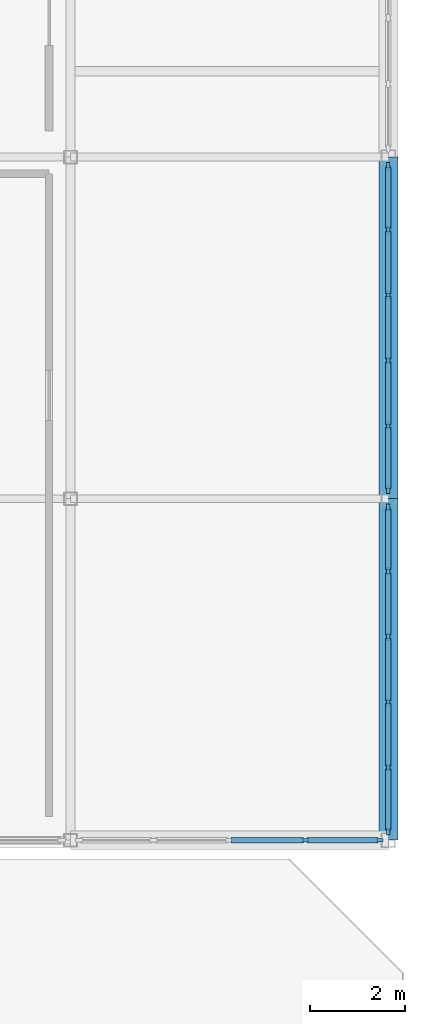
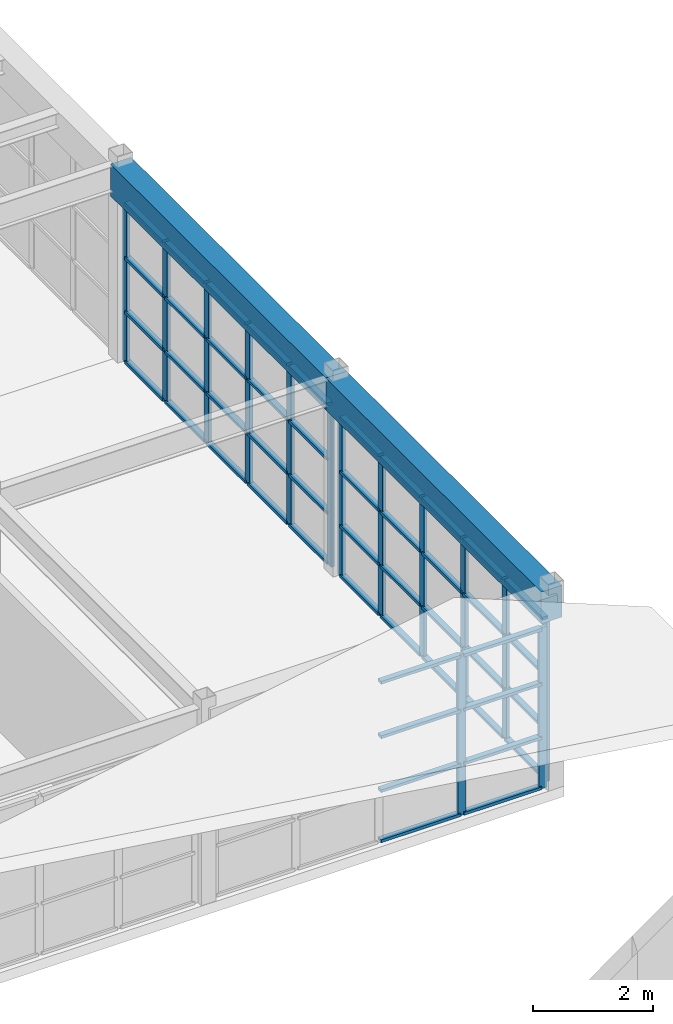
# One storey, part 33 of 52: 62 members, 2 beams, 3 elements without a shape of their own.
"""IFC4 building model written with IfcOpenShell, lengths in metres."""

from ifc_helpers import new_model, si_unit, direction, frame, origin, origin_2d, place, context, subcontext, project, spatial, rectangle, extrude, material, layer, layer_set, material_profile, profile_set, type_object, element, aggregate, save


model = new_model("IFC4")

# Units and contexts
model_context = context("Model", 3, precision=1e-05, world=origin(), true_north=direction((0.0, 1.0)))
body_context = subcontext(model_context, "Body", "Model", "MODEL_VIEW")
ifc_project = project(units=[si_unit("LENGTHUNIT", "METRE"), si_unit("AREAUNIT", "SQUARE_METRE"), si_unit("VOLUMEUNIT", "CUBIC_METRE"), si_unit("PLANEANGLEUNIT", "RADIAN"), si_unit("MASSUNIT", "GRAM", prefix="KILO")], contexts=[model_context])

# Site, building, storey
site_placement = place(None, origin())
site = spatial("IfcSite", under=ifc_project, at=site_placement, CompositionType="ELEMENT")
building_placement = place(site_placement, origin())
building = spatial("IfcBuilding", under=site, at=building_placement, Name="Candilejo Ridge Gondola Terminal", CompositionType="ELEMENT")
storey_placement = place(building_placement, frame((0.0, 0.0, 18.60009765625)))
storey = spatial("IfcBuildingStorey", under=building, at=storey_placement, Name="L04", CompositionType="ELEMENT", Elevation=18.60009765625)

# Curtain wall, members
ifc_material_1 = material(Name="Anodised aluminium AA 6063-T6", Category="aluminium")
ifc_layer_1 = layer(ifc_material_1, 0.169921875)
ifc_layer_set_1 = layer_set([ifc_layer_1], Name="ARC-CW-TOWER-3000-690X329")
curtain_wall_type_1 = type_object("IfcCurtainWallType", Name="ARC-CW-TOWER-3000-690X329", PredefinedType="NOTDEFINED", material=ifc_layer_set_1)
curtain_wall_1_placement = place(storey_placement, origin())
curtain_wall_1 = element("IfcCurtainWall", 1, at=curtain_wall_1_placement, inside=storey, type_object=curtain_wall_type_1, Name="Curtain wall V5 L04-213", PredefinedType="NOTDEFINED")
ifc_material_2 = material(Name="Anodised aluminium AA 6063-T6", Category="aluminium")
ifc_material_profile_1 = material_profile(ifc_material_2, rectangle(XDim=0.06494140625, YDim=0.14990234375, at=origin_2d()))
ifc_profile_set_1 = profile_set([ifc_material_profile_1], Name="Anodised aluminium AA 6063-T6")
member_type_1 = type_object("IfcMemberType", Name="ARC-CW-MULLION-150", PredefinedType="MULLION", material=ifc_profile_set_1)
member_1_placement = place(storey_placement, frame((175.300048828125, 84.83251953125, 0.0), z_axis=(0.0, 0.0, 1.0), x_axis=(-1.0, 0.0, 0.0)))
member_1 = element("IfcMember", 2, at=member_1_placement, type_object=member_type_1, Name="CW-69X32 mullion 1", PredefinedType="MULLION", context=body_context, shape_type="SweptSolid", body=[
    extrude(rectangle(XDim=0.06494140625, YDim=0.14990234375, at=origin_2d()), origin(), (0.0, 0.0, 1.0), 3.289794921875),
])
member_2_placement = place(storey_placement, frame((175.300048828125, 86.179931640625, 0.0), z_axis=(0.0, 0.0, 1.0), x_axis=(-1.0, 0.0, 0.0)))
member_2 = element("IfcMember", 3, at=member_2_placement, type_object=member_type_1, Name="CW-69X32 mullion 2", PredefinedType="MULLION", context=body_context, shape_type="SweptSolid", body=[
    extrude(rectangle(XDim=0.06494140625, YDim=0.14990234375, at=origin_2d()), origin(), (0.0, 0.0, 1.0), 3.289794921875),
])
member_3_placement = place(storey_placement, frame((175.300048828125, 87.56005859375, 0.0), z_axis=(0.0, 0.0, 1.0), x_axis=(-1.0, 0.0, 0.0)))
member_3 = element("IfcMember", 4, at=member_3_placement, type_object=member_type_1, Name="CW-69X32 mullion 3", PredefinedType="MULLION", context=body_context, shape_type="SweptSolid", body=[
    extrude(rectangle(XDim=0.06494140625, YDim=0.14990234375, at=origin_2d()), origin(), (0.0, 0.0, 1.0), 3.289794921875),
])
member_4_placement = place(storey_placement, frame((175.300048828125, 88.93994140625, 0.0), z_axis=(0.0, 0.0, 1.0), x_axis=(-1.0, 0.0, 0.0)))
member_4 = element("IfcMember", 5, at=member_4_placement, type_object=member_type_1, Name="CW-69X32 mullion 4", PredefinedType="MULLION", context=body_context, shape_type="SweptSolid", body=[
    extrude(rectangle(XDim=0.06494140625, YDim=0.14990234375, at=origin_2d()), origin(), (0.0, 0.0, 1.0), 3.289794921875),
])
member_5_placement = place(storey_placement, frame((175.300048828125, 90.320068359375, 0.0), z_axis=(0.0, 0.0, 1.0), x_axis=(-1.0, 0.0, 0.0)))
member_5 = element("IfcMember", 6, at=member_5_placement, type_object=member_type_1, Name="CW-69X32 mullion 5", PredefinedType="MULLION", context=body_context, shape_type="SweptSolid", body=[
    extrude(rectangle(XDim=0.06494140625, YDim=0.14990234375, at=origin_2d()), origin(), (0.0, 0.0, 1.0), 3.289794921875),
])
member_6_placement = place(storey_placement, frame((175.300048828125, 91.66748046875, 0.0), z_axis=(0.0, 0.0, 1.0), x_axis=(-1.0, 0.0, 0.0)))
member_6 = element("IfcMember", 7, at=member_6_placement, type_object=member_type_1, Name="CW-69X32 mullion 6", PredefinedType="MULLION", context=body_context, shape_type="SweptSolid", body=[
    extrude(rectangle(XDim=0.06494140625, YDim=0.14990234375, at=origin_2d()), origin(), (0.0, 0.0, 1.0), 3.289794921875),
])

curtain_wall_2_placement = place(storey_placement, origin())
curtain_wall_2 = element("IfcCurtainWall", 8, at=curtain_wall_2_placement, inside=storey, type_object=curtain_wall_type_1, Name="Curtain wall V5 L04-215", PredefinedType="NOTDEFINED")
member_7_placement = place(storey_placement, frame((175.300048828125, 92.032470703125, 0.0), z_axis=(0.0, 0.0, 1.0), x_axis=(-1.0, 0.0, 0.0)))
member_7 = element("IfcMember", 9, at=member_7_placement, type_object=member_type_1, Name="CW-69X32 mullion 1", PredefinedType="MULLION", context=body_context, shape_type="SweptSolid", body=[
    extrude(rectangle(XDim=0.06494140625, YDim=0.14990234375, at=origin_2d()), origin(), (0.0, 0.0, 1.0), 3.289794921875),
])
member_8_placement = place(storey_placement, frame((175.300048828125, 93.3798828125, 0.0), z_axis=(0.0, 0.0, 1.0), x_axis=(-1.0, 0.0, 0.0)))
member_8 = element("IfcMember", 10, at=member_8_placement, type_object=member_type_1, Name="CW-69X32 mullion 2", PredefinedType="MULLION", context=body_context, shape_type="SweptSolid", body=[
    extrude(rectangle(XDim=0.06494140625, YDim=0.14990234375, at=origin_2d()), origin(), (0.0, 0.0, 1.0), 3.289794921875),
])
member_9_placement = place(storey_placement, frame((175.300048828125, 94.760009765625, 0.0), z_axis=(0.0, 0.0, 1.0), x_axis=(-1.0, 0.0, 0.0)))
member_9 = element("IfcMember", 11, at=member_9_placement, type_object=member_type_1, Name="CW-69X32 mullion 3", PredefinedType="MULLION", context=body_context, shape_type="SweptSolid", body=[
    extrude(rectangle(XDim=0.06494140625, YDim=0.14990234375, at=origin_2d()), origin(), (0.0, 0.0, 1.0), 3.289794921875),
])
member_10_placement = place(storey_placement, frame((175.300048828125, 96.139892578125, 0.0), z_axis=(0.0, 0.0, 1.0), x_axis=(-1.0, 0.0, 0.0)))
member_10 = element("IfcMember", 12, at=member_10_placement, type_object=member_type_1, Name="CW-69X32 mullion 4", PredefinedType="MULLION", context=body_context, shape_type="SweptSolid", body=[
    extrude(rectangle(XDim=0.06494140625, YDim=0.14990234375, at=origin_2d()), origin(), (0.0, 0.0, 1.0), 3.289794921875),
])
member_11_placement = place(storey_placement, frame((175.300048828125, 97.52001953125, 0.0), z_axis=(0.0, 0.0, 1.0), x_axis=(-1.0, 0.0, 0.0)))
member_11 = element("IfcMember", 13, at=member_11_placement, type_object=member_type_1, Name="CW-69X32 mullion 5", PredefinedType="MULLION", context=body_context, shape_type="SweptSolid", body=[
    extrude(rectangle(XDim=0.06494140625, YDim=0.14990234375, at=origin_2d()), origin(), (0.0, 0.0, 1.0), 3.289794921875),
])
member_12_placement = place(storey_placement, frame((175.300048828125, 98.867431640625, 0.0), z_axis=(0.0, 0.0, 1.0), x_axis=(-1.0, 0.0, 0.0)))
member_12 = element("IfcMember", 14, at=member_12_placement, type_object=member_type_1, Name="CW-69X32 mullion 6", PredefinedType="MULLION", context=body_context, shape_type="SweptSolid", body=[
    extrude(rectangle(XDim=0.06494140625, YDim=0.14990234375, at=origin_2d()), origin(), (0.0, 0.0, 1.0), 3.289794921875),
])

ifc_material_3 = material(Name="Anodised aluminium AA 6063-T6", Category="aluminium")
ifc_layer_2 = layer(ifc_material_3, 0.169921875)
ifc_layer_set_2 = layer_set([ifc_layer_2], Name="ARC-CW-TOWER-3000-640X329")
curtain_wall_type_2 = type_object("IfcCurtainWallType", Name="ARC-CW-TOWER-3000-640X329", PredefinedType="NOTDEFINED", material=ifc_layer_set_2)
curtain_wall_3_placement = place(storey_placement, origin())
curtain_wall_3 = element("IfcCurtainWall", 15, at=curtain_wall_3_placement, inside=storey, type_object=curtain_wall_type_2, Name="Curtain wall V5 L04-224", PredefinedType="NOTDEFINED")
member_13_placement = place(storey_placement, frame((173.550048828125, 84.64990234375, 0.0), z_axis=(0.0, 0.0, 1.0), x_axis=(0.0, 1.0, 0.0)))
member_13 = element("IfcMember", 16, at=member_13_placement, type_object=member_type_1, Name="CW-64X32 mullion 4", PredefinedType="MULLION", context=body_context, shape_type="SweptSolid", body=[
    extrude(rectangle(XDim=0.06494140625, YDim=0.14990234375, at=origin_2d()), origin(), (0.0, 0.0, 1.0), 3.289794921875),
])
member_14_placement = place(storey_placement, frame((175.117431640625, 84.64990234375, 0.0), z_axis=(0.0, 0.0, 1.0), x_axis=(0.0, 1.0, 0.0)))
member_14 = element("IfcMember", 17, at=member_14_placement, type_object=member_type_1, Name="CW-64X32 mullion 5", PredefinedType="MULLION", context=body_context, shape_type="SweptSolid", body=[
    extrude(rectangle(XDim=0.06494140625, YDim=0.14990234375, at=origin_2d()), origin(), (0.0, 0.0, 1.0), 3.289794921875),
])

# Member
ifc_material_4 = material(Name="Anodised aluminium AA 6063-T6", Category="aluminium")
ifc_material_profile_2 = material_profile(ifc_material_4, rectangle(XDim=0.110107421875, YDim=0.06005859375, at=origin_2d()))
ifc_profile_set_2 = profile_set([ifc_material_profile_2], Name="Anodised aluminium AA 6063-T6")
member_type_2 = type_object("IfcMemberType", Name="ARC-CW-TRANSOM-110", PredefinedType="USERDEFINED", material=ifc_profile_set_2)
member_15_placement = place(storey_placement, frame((175.300048828125, 84.864990234375, 0.02978515625), z_axis=(0.0, 1.0, 0.0), x_axis=(-1.0, 0.0, 0.0)))
member_15 = element("IfcMember", 18, at=member_15_placement, type_object=member_type_2, Name="CW-69X32 transom 1.1", ObjectType="TRANSOM", PredefinedType="USERDEFINED", context=body_context, shape_type="SweptSolid", body=[
    extrude(rectangle(XDim=0.110107421875, YDim=0.06005859375, at=origin_2d()), origin(), (0.0, 0.0, 1.0), 1.282470703125),
])

member_16_placement = place(storey_placement, frame((175.300048828125, 84.864990234375, 1.0498046875), z_axis=(0.0, 1.0, 0.0), x_axis=(-1.0, 0.0, 0.0)))
member_16 = element("IfcMember", 19, at=member_16_placement, type_object=member_type_2, Name="CW-69X32 transom 1.2", ObjectType="TRANSOM", PredefinedType="USERDEFINED", context=body_context, shape_type="SweptSolid", body=[
    extrude(rectangle(XDim=0.110107421875, YDim=0.06005859375, at=origin_2d()), origin(), (0.0, 0.0, 1.0), 1.282470703125),
])

member_17_placement = place(storey_placement, frame((175.300048828125, 84.864990234375, 2.14990234375), z_axis=(0.0, 1.0, 0.0), x_axis=(-1.0, 0.0, 0.0)))
member_17 = element("IfcMember", 20, at=member_17_placement, type_object=member_type_2, Name="CW-69X32 transom 1.3", ObjectType="TRANSOM", PredefinedType="USERDEFINED", context=body_context, shape_type="SweptSolid", body=[
    extrude(rectangle(XDim=0.110107421875, YDim=0.06005859375, at=origin_2d()), origin(), (0.0, 0.0, 1.0), 1.282470703125),
])

member_18_placement = place(storey_placement, frame((175.300048828125, 84.864990234375, 3.260009765625), z_axis=(0.0, 1.0, 0.0), x_axis=(-1.0, 0.0, 0.0)))
member_18 = element("IfcMember", 21, at=member_18_placement, type_object=member_type_2, Name="CW-69X32 transom 1.4", ObjectType="TRANSOM", PredefinedType="USERDEFINED", context=body_context, shape_type="SweptSolid", body=[
    extrude(rectangle(XDim=0.110107421875, YDim=0.06005859375, at=origin_2d()), origin(), (0.0, 0.0, 1.0), 1.282470703125),
])

member_19_placement = place(storey_placement, frame((175.300048828125, 86.21240234375, 0.02978515625), z_axis=(0.0, 1.0, 0.0), x_axis=(-1.0, 0.0, 0.0)))
member_19 = element("IfcMember", 22, at=member_19_placement, type_object=member_type_2, Name="CW-69X32 transom 2.1", ObjectType="TRANSOM", PredefinedType="USERDEFINED", context=body_context, shape_type="SweptSolid", body=[
    extrude(rectangle(XDim=0.110107421875, YDim=0.06005859375, at=origin_2d()), origin(), (0.0, 0.0, 1.0), 1.315185546875),
])

member_20_placement = place(storey_placement, frame((175.300048828125, 86.21240234375, 1.0498046875), z_axis=(0.0, 1.0, 0.0), x_axis=(-1.0, 0.0, 0.0)))
member_20 = element("IfcMember", 23, at=member_20_placement, type_object=member_type_2, Name="CW-69X32 transom 2.2", ObjectType="TRANSOM", PredefinedType="USERDEFINED", context=body_context, shape_type="SweptSolid", body=[
    extrude(rectangle(XDim=0.110107421875, YDim=0.06005859375, at=origin_2d()), origin(), (0.0, 0.0, 1.0), 1.315185546875),
])

member_21_placement = place(storey_placement, frame((175.300048828125, 86.21240234375, 2.14990234375), z_axis=(0.0, 1.0, 0.0), x_axis=(-1.0, 0.0, 0.0)))
member_21 = element("IfcMember", 24, at=member_21_placement, type_object=member_type_2, Name="CW-69X32 transom 2.3", ObjectType="TRANSOM", PredefinedType="USERDEFINED", context=body_context, shape_type="SweptSolid", body=[
    extrude(rectangle(XDim=0.110107421875, YDim=0.06005859375, at=origin_2d()), origin(), (0.0, 0.0, 1.0), 1.315185546875),
])

member_22_placement = place(storey_placement, frame((175.300048828125, 86.21240234375, 3.260009765625), z_axis=(0.0, 1.0, 0.0), x_axis=(-1.0, 0.0, 0.0)))
member_22 = element("IfcMember", 25, at=member_22_placement, type_object=member_type_2, Name="CW-69X32 transom 2.4", ObjectType="TRANSOM", PredefinedType="USERDEFINED", context=body_context, shape_type="SweptSolid", body=[
    extrude(rectangle(XDim=0.110107421875, YDim=0.06005859375, at=origin_2d()), origin(), (0.0, 0.0, 1.0), 1.315185546875),
])

member_23_placement = place(storey_placement, frame((175.300048828125, 87.592529296875, 0.02978515625), z_axis=(0.0, 1.0, 0.0), x_axis=(-1.0, 0.0, 0.0)))
member_23 = element("IfcMember", 26, at=member_23_placement, type_object=member_type_2, Name="CW-69X32 transom 3.1", ObjectType="TRANSOM", PredefinedType="USERDEFINED", context=body_context, shape_type="SweptSolid", body=[
    extrude(rectangle(XDim=0.110107421875, YDim=0.06005859375, at=origin_2d()), origin(), (0.0, 0.0, 1.0), 1.31494140625),
])

member_24_placement = place(storey_placement, frame((175.300048828125, 87.592529296875, 1.0498046875), z_axis=(0.0, 1.0, 0.0), x_axis=(-1.0, 0.0, 0.0)))
member_24 = element("IfcMember", 27, at=member_24_placement, type_object=member_type_2, Name="CW-69X32 transom 3.2", ObjectType="TRANSOM", PredefinedType="USERDEFINED", context=body_context, shape_type="SweptSolid", body=[
    extrude(rectangle(XDim=0.110107421875, YDim=0.06005859375, at=origin_2d()), origin(), (0.0, 0.0, 1.0), 1.31494140625),
])

member_25_placement = place(storey_placement, frame((175.300048828125, 87.592529296875, 2.14990234375), z_axis=(0.0, 1.0, 0.0), x_axis=(-1.0, 0.0, 0.0)))
member_25 = element("IfcMember", 28, at=member_25_placement, type_object=member_type_2, Name="CW-69X32 transom 3.3", ObjectType="TRANSOM", PredefinedType="USERDEFINED", context=body_context, shape_type="SweptSolid", body=[
    extrude(rectangle(XDim=0.110107421875, YDim=0.06005859375, at=origin_2d()), origin(), (0.0, 0.0, 1.0), 1.31494140625),
])

member_26_placement = place(storey_placement, frame((175.300048828125, 87.592529296875, 3.260009765625), z_axis=(0.0, 1.0, 0.0), x_axis=(-1.0, 0.0, 0.0)))
member_26 = element("IfcMember", 29, at=member_26_placement, type_object=member_type_2, Name="CW-69X32 transom 3.4", ObjectType="TRANSOM", PredefinedType="USERDEFINED", context=body_context, shape_type="SweptSolid", body=[
    extrude(rectangle(XDim=0.110107421875, YDim=0.06005859375, at=origin_2d()), origin(), (0.0, 0.0, 1.0), 1.31494140625),
])

member_27_placement = place(storey_placement, frame((175.300048828125, 88.972412109375, 0.02978515625), z_axis=(0.0, 1.0, 0.0), x_axis=(-1.0, 0.0, 0.0)))
member_27 = element("IfcMember", 30, at=member_27_placement, type_object=member_type_2, Name="CW-69X32 transom 4.1", ObjectType="TRANSOM", PredefinedType="USERDEFINED", context=body_context, shape_type="SweptSolid", body=[
    extrude(rectangle(XDim=0.110107421875, YDim=0.06005859375, at=origin_2d()), origin(), (0.0, 0.0, 1.0), 1.315185546875),
])

member_28_placement = place(storey_placement, frame((175.300048828125, 88.972412109375, 1.0498046875), z_axis=(0.0, 1.0, 0.0), x_axis=(-1.0, 0.0, 0.0)))
member_28 = element("IfcMember", 31, at=member_28_placement, type_object=member_type_2, Name="CW-69X32 transom 4.2", ObjectType="TRANSOM", PredefinedType="USERDEFINED", context=body_context, shape_type="SweptSolid", body=[
    extrude(rectangle(XDim=0.110107421875, YDim=0.06005859375, at=origin_2d()), origin(), (0.0, 0.0, 1.0), 1.315185546875),
])

member_29_placement = place(storey_placement, frame((175.300048828125, 88.972412109375, 2.14990234375), z_axis=(0.0, 1.0, 0.0), x_axis=(-1.0, 0.0, 0.0)))
member_29 = element("IfcMember", 32, at=member_29_placement, type_object=member_type_2, Name="CW-69X32 transom 4.3", ObjectType="TRANSOM", PredefinedType="USERDEFINED", context=body_context, shape_type="SweptSolid", body=[
    extrude(rectangle(XDim=0.110107421875, YDim=0.06005859375, at=origin_2d()), origin(), (0.0, 0.0, 1.0), 1.315185546875),
])

member_30_placement = place(storey_placement, frame((175.300048828125, 88.972412109375, 3.260009765625), z_axis=(0.0, 1.0, 0.0), x_axis=(-1.0, 0.0, 0.0)))
member_30 = element("IfcMember", 33, at=member_30_placement, type_object=member_type_2, Name="CW-69X32 transom 4.4", ObjectType="TRANSOM", PredefinedType="USERDEFINED", context=body_context, shape_type="SweptSolid", body=[
    extrude(rectangle(XDim=0.110107421875, YDim=0.06005859375, at=origin_2d()), origin(), (0.0, 0.0, 1.0), 1.315185546875),
])

member_31_placement = place(storey_placement, frame((175.300048828125, 90.3525390625, 0.02978515625), z_axis=(0.0, 1.0, 0.0), x_axis=(-1.0, 0.0, 0.0)))
member_31 = element("IfcMember", 34, at=member_31_placement, type_object=member_type_2, Name="CW-69X32 transom 5.1", ObjectType="TRANSOM", PredefinedType="USERDEFINED", context=body_context, shape_type="SweptSolid", body=[
    extrude(rectangle(XDim=0.110107421875, YDim=0.06005859375, at=origin_2d()), origin(), (0.0, 0.0, 1.0), 1.282470703125),
])

member_32_placement = place(storey_placement, frame((175.300048828125, 90.3525390625, 1.0498046875), z_axis=(0.0, 1.0, 0.0), x_axis=(-1.0, 0.0, 0.0)))
member_32 = element("IfcMember", 35, at=member_32_placement, type_object=member_type_2, Name="CW-69X32 transom 5.2", ObjectType="TRANSOM", PredefinedType="USERDEFINED", context=body_context, shape_type="SweptSolid", body=[
    extrude(rectangle(XDim=0.110107421875, YDim=0.06005859375, at=origin_2d()), origin(), (0.0, 0.0, 1.0), 1.282470703125),
])

member_33_placement = place(storey_placement, frame((175.300048828125, 90.3525390625, 2.14990234375), z_axis=(0.0, 1.0, 0.0), x_axis=(-1.0, 0.0, 0.0)))
member_33 = element("IfcMember", 36, at=member_33_placement, type_object=member_type_2, Name="CW-69X32 transom 5.3", ObjectType="TRANSOM", PredefinedType="USERDEFINED", context=body_context, shape_type="SweptSolid", body=[
    extrude(rectangle(XDim=0.110107421875, YDim=0.06005859375, at=origin_2d()), origin(), (0.0, 0.0, 1.0), 1.282470703125),
])

member_34_placement = place(storey_placement, frame((175.300048828125, 90.3525390625, 3.260009765625), z_axis=(0.0, 1.0, 0.0), x_axis=(-1.0, 0.0, 0.0)))
member_34 = element("IfcMember", 37, at=member_34_placement, type_object=member_type_2, Name="CW-69X32 transom 5.4", ObjectType="TRANSOM", PredefinedType="USERDEFINED", context=body_context, shape_type="SweptSolid", body=[
    extrude(rectangle(XDim=0.110107421875, YDim=0.06005859375, at=origin_2d()), origin(), (0.0, 0.0, 1.0), 1.282470703125),
])

aggregate(curtain_wall_1, [member_1, member_2, member_3, member_4, member_5, member_6, member_15, member_16, member_17, member_18, member_19, member_20, member_21, member_22, member_23, member_24, member_25, member_26, member_27, member_28, member_29, member_30, member_31, member_32, member_33, member_34])

member_35_placement = place(storey_placement, frame((175.300048828125, 92.06494140625, 0.02978515625), z_axis=(0.0, 1.0, 0.0), x_axis=(-1.0, 0.0, 0.0)))
member_35 = element("IfcMember", 38, at=member_35_placement, type_object=member_type_2, Name="CW-69X32 transom 1.1", ObjectType="TRANSOM", PredefinedType="USERDEFINED", context=body_context, shape_type="SweptSolid", body=[
    extrude(rectangle(XDim=0.110107421875, YDim=0.06005859375, at=origin_2d()), origin(), (0.0, 0.0, 1.0), 1.282470703125),
])

member_36_placement = place(storey_placement, frame((175.300048828125, 92.06494140625, 1.0498046875), z_axis=(0.0, 1.0, 0.0), x_axis=(-1.0, 0.0, 0.0)))
member_36 = element("IfcMember", 39, at=member_36_placement, type_object=member_type_2, Name="CW-69X32 transom 1.2", ObjectType="TRANSOM", PredefinedType="USERDEFINED", context=body_context, shape_type="SweptSolid", body=[
    extrude(rectangle(XDim=0.110107421875, YDim=0.06005859375, at=origin_2d()), origin(), (0.0, 0.0, 1.0), 1.282470703125),
])

member_37_placement = place(storey_placement, frame((175.300048828125, 92.06494140625, 2.14990234375), z_axis=(0.0, 1.0, 0.0), x_axis=(-1.0, 0.0, 0.0)))
member_37 = element("IfcMember", 40, at=member_37_placement, type_object=member_type_2, Name="CW-69X32 transom 1.3", ObjectType="TRANSOM", PredefinedType="USERDEFINED", context=body_context, shape_type="SweptSolid", body=[
    extrude(rectangle(XDim=0.110107421875, YDim=0.06005859375, at=origin_2d()), origin(), (0.0, 0.0, 1.0), 1.282470703125),
])

member_38_placement = place(storey_placement, frame((175.300048828125, 92.06494140625, 3.260009765625), z_axis=(0.0, 1.0, 0.0), x_axis=(-1.0, 0.0, 0.0)))
member_38 = element("IfcMember", 41, at=member_38_placement, type_object=member_type_2, Name="CW-69X32 transom 1.4", ObjectType="TRANSOM", PredefinedType="USERDEFINED", context=body_context, shape_type="SweptSolid", body=[
    extrude(rectangle(XDim=0.110107421875, YDim=0.06005859375, at=origin_2d()), origin(), (0.0, 0.0, 1.0), 1.282470703125),
])

member_39_placement = place(storey_placement, frame((175.300048828125, 93.41259765625, 0.02978515625), z_axis=(0.0, 1.0, 0.0), x_axis=(-1.0, 0.0, 0.0)))
member_39 = element("IfcMember", 42, at=member_39_placement, type_object=member_type_2, Name="CW-69X32 transom 2.1", ObjectType="TRANSOM", PredefinedType="USERDEFINED", context=body_context, shape_type="SweptSolid", body=[
    extrude(rectangle(XDim=0.110107421875, YDim=0.06005859375, at=origin_2d()), origin(), (0.0, 0.0, 1.0), 1.31494140625),
])

member_40_placement = place(storey_placement, frame((175.300048828125, 93.41259765625, 1.0498046875), z_axis=(0.0, 1.0, 0.0), x_axis=(-1.0, 0.0, 0.0)))
member_40 = element("IfcMember", 43, at=member_40_placement, type_object=member_type_2, Name="CW-69X32 transom 2.2", ObjectType="TRANSOM", PredefinedType="USERDEFINED", context=body_context, shape_type="SweptSolid", body=[
    extrude(rectangle(XDim=0.110107421875, YDim=0.06005859375, at=origin_2d()), origin(), (0.0, 0.0, 1.0), 1.31494140625),
])

member_41_placement = place(storey_placement, frame((175.300048828125, 93.41259765625, 2.14990234375), z_axis=(0.0, 1.0, 0.0), x_axis=(-1.0, 0.0, 0.0)))
member_41 = element("IfcMember", 44, at=member_41_placement, type_object=member_type_2, Name="CW-69X32 transom 2.3", ObjectType="TRANSOM", PredefinedType="USERDEFINED", context=body_context, shape_type="SweptSolid", body=[
    extrude(rectangle(XDim=0.110107421875, YDim=0.06005859375, at=origin_2d()), origin(), (0.0, 0.0, 1.0), 1.31494140625),
])

member_42_placement = place(storey_placement, frame((175.300048828125, 93.41259765625, 3.260009765625), z_axis=(0.0, 1.0, 0.0), x_axis=(-1.0, 0.0, 0.0)))
member_42 = element("IfcMember", 45, at=member_42_placement, type_object=member_type_2, Name="CW-69X32 transom 2.4", ObjectType="TRANSOM", PredefinedType="USERDEFINED", context=body_context, shape_type="SweptSolid", body=[
    extrude(rectangle(XDim=0.110107421875, YDim=0.06005859375, at=origin_2d()), origin(), (0.0, 0.0, 1.0), 1.31494140625),
])

member_43_placement = place(storey_placement, frame((175.300048828125, 94.79248046875, 0.02978515625), z_axis=(0.0, 1.0, 0.0), x_axis=(-1.0, 0.0, 0.0)))
member_43 = element("IfcMember", 46, at=member_43_placement, type_object=member_type_2, Name="CW-69X32 transom 3.1", ObjectType="TRANSOM", PredefinedType="USERDEFINED", context=body_context, shape_type="SweptSolid", body=[
    extrude(rectangle(XDim=0.110107421875, YDim=0.06005859375, at=origin_2d()), origin(), (0.0, 0.0, 1.0), 1.31494140625),
])

member_44_placement = place(storey_placement, frame((175.300048828125, 94.79248046875, 1.0498046875), z_axis=(0.0, 1.0, 0.0), x_axis=(-1.0, 0.0, 0.0)))
member_44 = element("IfcMember", 47, at=member_44_placement, type_object=member_type_2, Name="CW-69X32 transom 3.2", ObjectType="TRANSOM", PredefinedType="USERDEFINED", context=body_context, shape_type="SweptSolid", body=[
    extrude(rectangle(XDim=0.110107421875, YDim=0.06005859375, at=origin_2d()), origin(), (0.0, 0.0, 1.0), 1.31494140625),
])

member_45_placement = place(storey_placement, frame((175.300048828125, 94.79248046875, 2.14990234375), z_axis=(0.0, 1.0, 0.0), x_axis=(-1.0, 0.0, 0.0)))
member_45 = element("IfcMember", 48, at=member_45_placement, type_object=member_type_2, Name="CW-69X32 transom 3.3", ObjectType="TRANSOM", PredefinedType="USERDEFINED", context=body_context, shape_type="SweptSolid", body=[
    extrude(rectangle(XDim=0.110107421875, YDim=0.06005859375, at=origin_2d()), origin(), (0.0, 0.0, 1.0), 1.31494140625),
])

member_46_placement = place(storey_placement, frame((175.300048828125, 94.79248046875, 3.260009765625), z_axis=(0.0, 1.0, 0.0), x_axis=(-1.0, 0.0, 0.0)))
member_46 = element("IfcMember", 49, at=member_46_placement, type_object=member_type_2, Name="CW-69X32 transom 3.4", ObjectType="TRANSOM", PredefinedType="USERDEFINED", context=body_context, shape_type="SweptSolid", body=[
    extrude(rectangle(XDim=0.110107421875, YDim=0.06005859375, at=origin_2d()), origin(), (0.0, 0.0, 1.0), 1.31494140625),
])

member_47_placement = place(storey_placement, frame((175.300048828125, 96.172607421875, 0.02978515625), z_axis=(0.0, 1.0, 0.0), x_axis=(-1.0, 0.0, 0.0)))
member_47 = element("IfcMember", 50, at=member_47_placement, type_object=member_type_2, Name="CW-69X32 transom 4.1", ObjectType="TRANSOM", PredefinedType="USERDEFINED", context=body_context, shape_type="SweptSolid", body=[
    extrude(rectangle(XDim=0.110107421875, YDim=0.06005859375, at=origin_2d()), origin(), (0.0, 0.0, 1.0), 1.31494140625),
])

member_48_placement = place(storey_placement, frame((175.300048828125, 96.172607421875, 1.0498046875), z_axis=(0.0, 1.0, 0.0), x_axis=(-1.0, 0.0, 0.0)))
member_48 = element("IfcMember", 51, at=member_48_placement, type_object=member_type_2, Name="CW-69X32 transom 4.2", ObjectType="TRANSOM", PredefinedType="USERDEFINED", context=body_context, shape_type="SweptSolid", body=[
    extrude(rectangle(XDim=0.110107421875, YDim=0.06005859375, at=origin_2d()), origin(), (0.0, 0.0, 1.0), 1.31494140625),
])

member_49_placement = place(storey_placement, frame((175.300048828125, 96.172607421875, 2.14990234375), z_axis=(0.0, 1.0, 0.0), x_axis=(-1.0, 0.0, 0.0)))
member_49 = element("IfcMember", 52, at=member_49_placement, type_object=member_type_2, Name="CW-69X32 transom 4.3", ObjectType="TRANSOM", PredefinedType="USERDEFINED", context=body_context, shape_type="SweptSolid", body=[
    extrude(rectangle(XDim=0.110107421875, YDim=0.06005859375, at=origin_2d()), origin(), (0.0, 0.0, 1.0), 1.31494140625),
])

member_50_placement = place(storey_placement, frame((175.300048828125, 96.172607421875, 3.260009765625), z_axis=(0.0, 1.0, 0.0), x_axis=(-1.0, 0.0, 0.0)))
member_50 = element("IfcMember", 53, at=member_50_placement, type_object=member_type_2, Name="CW-69X32 transom 4.4", ObjectType="TRANSOM", PredefinedType="USERDEFINED", context=body_context, shape_type="SweptSolid", body=[
    extrude(rectangle(XDim=0.110107421875, YDim=0.06005859375, at=origin_2d()), origin(), (0.0, 0.0, 1.0), 1.31494140625),
])

member_51_placement = place(storey_placement, frame((175.300048828125, 97.552490234375, 0.02978515625), z_axis=(0.0, 1.0, 0.0), x_axis=(-1.0, 0.0, 0.0)))
member_51 = element("IfcMember", 54, at=member_51_placement, type_object=member_type_2, Name="CW-69X32 transom 5.1", ObjectType="TRANSOM", PredefinedType="USERDEFINED", context=body_context, shape_type="SweptSolid", body=[
    extrude(rectangle(XDim=0.110107421875, YDim=0.06005859375, at=origin_2d()), origin(), (0.0, 0.0, 1.0), 1.282470703125),
])

member_52_placement = place(storey_placement, frame((175.300048828125, 97.552490234375, 1.0498046875), z_axis=(0.0, 1.0, 0.0), x_axis=(-1.0, 0.0, 0.0)))
member_52 = element("IfcMember", 55, at=member_52_placement, type_object=member_type_2, Name="CW-69X32 transom 5.2", ObjectType="TRANSOM", PredefinedType="USERDEFINED", context=body_context, shape_type="SweptSolid", body=[
    extrude(rectangle(XDim=0.110107421875, YDim=0.06005859375, at=origin_2d()), origin(), (0.0, 0.0, 1.0), 1.282470703125),
])

member_53_placement = place(storey_placement, frame((175.300048828125, 97.552490234375, 2.14990234375), z_axis=(0.0, 1.0, 0.0), x_axis=(-1.0, 0.0, 0.0)))
member_53 = element("IfcMember", 56, at=member_53_placement, type_object=member_type_2, Name="CW-69X32 transom 5.3", ObjectType="TRANSOM", PredefinedType="USERDEFINED", context=body_context, shape_type="SweptSolid", body=[
    extrude(rectangle(XDim=0.110107421875, YDim=0.06005859375, at=origin_2d()), origin(), (0.0, 0.0, 1.0), 1.282470703125),
])

member_54_placement = place(storey_placement, frame((175.300048828125, 97.552490234375, 3.260009765625), z_axis=(0.0, 1.0, 0.0), x_axis=(-1.0, 0.0, 0.0)))
member_54 = element("IfcMember", 57, at=member_54_placement, type_object=member_type_2, Name="CW-69X32 transom 5.4", ObjectType="TRANSOM", PredefinedType="USERDEFINED", context=body_context, shape_type="SweptSolid", body=[
    extrude(rectangle(XDim=0.110107421875, YDim=0.06005859375, at=origin_2d()), origin(), (0.0, 0.0, 1.0), 1.282470703125),
])

aggregate(curtain_wall_2, [member_7, member_8, member_9, member_10, member_11, member_12, member_35, member_36, member_37, member_38, member_39, member_40, member_41, member_42, member_43, member_44, member_45, member_46, member_47, member_48, member_49, member_50, member_51, member_52, member_53, member_54])

member_55_placement = place(storey_placement, frame((171.982421875, 84.64990234375, 0.02978515625), z_axis=(1.0, 0.0, 0.0), x_axis=(0.0, 1.0, 0.0)))
member_55 = element("IfcMember", 58, at=member_55_placement, type_object=member_type_2, Name="CW-64X32 transom 3.1", ObjectType="TRANSOM", PredefinedType="USERDEFINED", context=body_context, shape_type="SweptSolid", body=[
    extrude(rectangle(XDim=0.110107421875, YDim=0.06005859375, at=origin_2d()), origin(), (0.0, 0.0, 1.0), 1.53515625),
])

member_56_placement = place(storey_placement, frame((171.982421875, 84.64990234375, 1.0498046875), z_axis=(1.0, 0.0, 0.0), x_axis=(0.0, 1.0, 0.0)))
member_56 = element("IfcMember", 59, at=member_56_placement, type_object=member_type_2, Name="CW-64X32 transom 3.2", ObjectType="TRANSOM", PredefinedType="USERDEFINED", context=body_context, shape_type="SweptSolid", body=[
    extrude(rectangle(XDim=0.110107421875, YDim=0.06005859375, at=origin_2d()), origin(), (0.0, 0.0, 1.0), 1.53515625),
])

member_57_placement = place(storey_placement, frame((171.982421875, 84.64990234375, 2.14990234375), z_axis=(1.0, 0.0, 0.0), x_axis=(0.0, 1.0, 0.0)))
member_57 = element("IfcMember", 60, at=member_57_placement, type_object=member_type_2, Name="CW-64X32 transom 3.3", ObjectType="TRANSOM", PredefinedType="USERDEFINED", context=body_context, shape_type="SweptSolid", body=[
    extrude(rectangle(XDim=0.110107421875, YDim=0.06005859375, at=origin_2d()), origin(), (0.0, 0.0, 1.0), 1.53515625),
])

member_58_placement = place(storey_placement, frame((171.982421875, 84.64990234375, 3.260009765625), z_axis=(1.0, 0.0, 0.0), x_axis=(0.0, 1.0, 0.0)))
member_58 = element("IfcMember", 61, at=member_58_placement, type_object=member_type_2, Name="CW-64X32 transom 3.4", ObjectType="TRANSOM", PredefinedType="USERDEFINED", context=body_context, shape_type="SweptSolid", body=[
    extrude(rectangle(XDim=0.110107421875, YDim=0.06005859375, at=origin_2d()), origin(), (0.0, 0.0, 1.0), 1.53515625),
])

member_59_placement = place(storey_placement, frame((173.58251953125, 84.64990234375, 0.02978515625), z_axis=(1.0, 0.0, 0.0), x_axis=(0.0, 1.0, 0.0)))
member_59 = element("IfcMember", 62, at=member_59_placement, type_object=member_type_2, Name="CW-64X32 transom 4.1", ObjectType="TRANSOM", PredefinedType="USERDEFINED", context=body_context, shape_type="SweptSolid", body=[
    extrude(rectangle(XDim=0.110107421875, YDim=0.06005859375, at=origin_2d()), origin(), (0.0, 0.0, 1.0), 1.50244140625),
])

member_60_placement = place(storey_placement, frame((173.58251953125, 84.64990234375, 1.0498046875), z_axis=(1.0, 0.0, 0.0), x_axis=(0.0, 1.0, 0.0)))
member_60 = element("IfcMember", 63, at=member_60_placement, type_object=member_type_2, Name="CW-64X32 transom 4.2", ObjectType="TRANSOM", PredefinedType="USERDEFINED", context=body_context, shape_type="SweptSolid", body=[
    extrude(rectangle(XDim=0.110107421875, YDim=0.06005859375, at=origin_2d()), origin(), (0.0, 0.0, 1.0), 1.50244140625),
])

member_61_placement = place(storey_placement, frame((173.58251953125, 84.64990234375, 2.14990234375), z_axis=(1.0, 0.0, 0.0), x_axis=(0.0, 1.0, 0.0)))
member_61 = element("IfcMember", 64, at=member_61_placement, type_object=member_type_2, Name="CW-64X32 transom 4.3", ObjectType="TRANSOM", PredefinedType="USERDEFINED", context=body_context, shape_type="SweptSolid", body=[
    extrude(rectangle(XDim=0.110107421875, YDim=0.06005859375, at=origin_2d()), origin(), (0.0, 0.0, 1.0), 1.50244140625),
])

member_62_placement = place(storey_placement, frame((173.58251953125, 84.64990234375, 3.260009765625), z_axis=(1.0, 0.0, 0.0), x_axis=(0.0, 1.0, 0.0)))
member_62 = element("IfcMember", 65, at=member_62_placement, type_object=member_type_2, Name="CW-64X32 transom 4.4", ObjectType="TRANSOM", PredefinedType="USERDEFINED", context=body_context, shape_type="SweptSolid", body=[
    extrude(rectangle(XDim=0.110107421875, YDim=0.06005859375, at=origin_2d()), origin(), (0.0, 0.0, 1.0), 1.50244140625),
])

aggregate(curtain_wall_3, [member_13, member_14, member_55, member_56, member_57, member_58, member_59, member_60, member_61, member_62])

# Beams
ifc_material_5 = material(Name="Concrete f'c 35 MPa (C35/45)", Category="concrete")
ifc_material_profile_3 = material_profile(ifc_material_5, rectangle(XDim=0.39990234375, YDim=0.64990234375, at=origin_2d()))
ifc_profile_set_3 = profile_set([ifc_material_profile_3], Name="Concrete f'c 35 MPa (C35/45)")
beam_type = type_object("IfcBeamType", Name="STR-SPN-RC400X650", PredefinedType="SPANDREL", material=ifc_profile_set_3)
beam_1_placement = place(storey_placement, frame((175.300048828125, 84.64990234375, 3.664794921875), z_axis=(0.0, 1.0, 0.0), x_axis=(-1.0, 0.0, 0.0)))
element("IfcBeam", 66, at=beam_1_placement, inside=storey, type_object=beam_type, Name="Beam Y V5 L04 Y15-Y16@X27", PredefinedType="SPANDREL", context=body_context, shape_type="SweptSolid", body=[
    extrude(rectangle(XDim=0.39990234375, YDim=0.64990234375, at=origin_2d()), origin(), (0.0, 0.0, 1.0), 7.2001953125),
])
beam_2_placement = place(storey_placement, frame((175.300048828125, 91.85009765625, 3.664794921875), z_axis=(0.0, 1.0, 0.0), x_axis=(-1.0, 0.0, 0.0)))
element("IfcBeam", 67, at=beam_2_placement, inside=storey, type_object=beam_type, Name="Beam Y V5 L04 Y16-Y17@X27", PredefinedType="SPANDREL", context=body_context, shape_type="SweptSolid", body=[
    extrude(rectangle(XDim=0.39990234375, YDim=0.64990234375, at=origin_2d()), origin(), (0.0, 0.0, 1.0), 7.199951171875),
])

save(model, "model.ifc")
